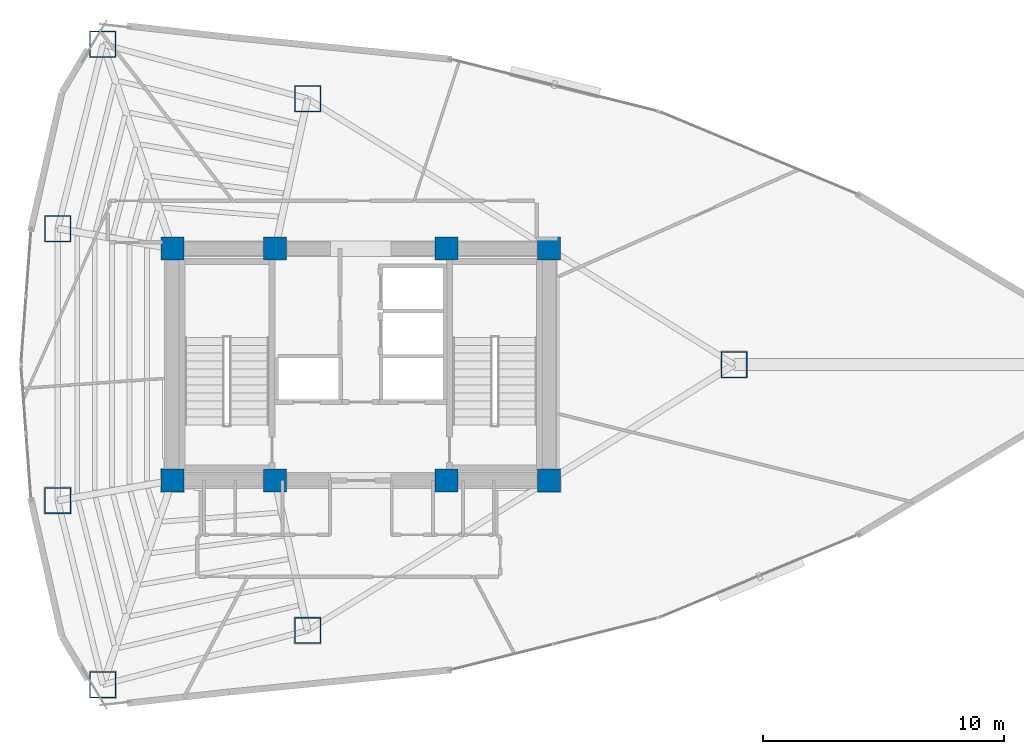
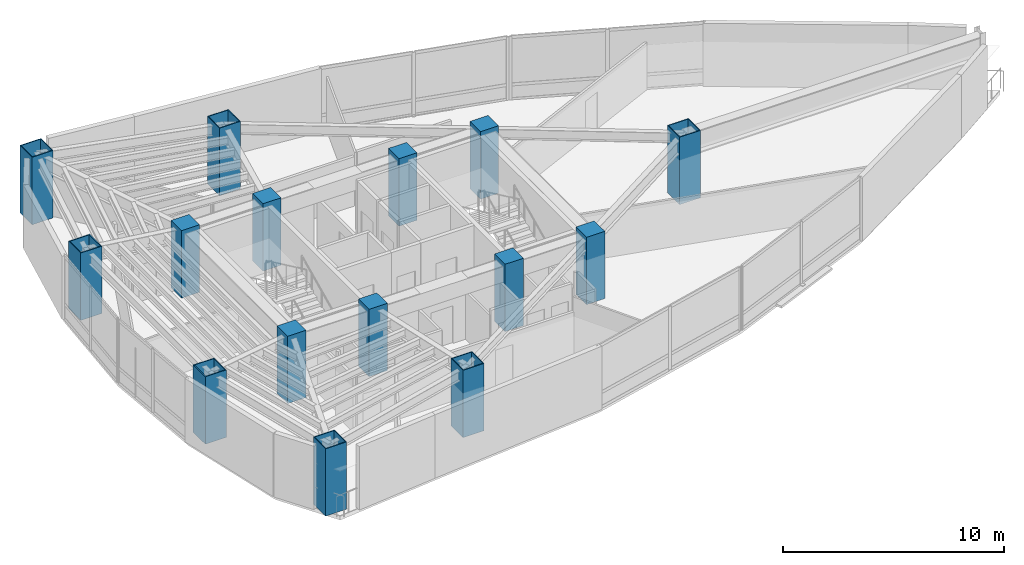
# One storey, part 1 of 18: 15 columns.
"""IFC4 building model written with IfcOpenShell, lengths in metres."""

from ifc_helpers import new_model, si_unit, direction, frame, origin, origin_2d, place, context, subcontext, project, spatial, rectangle, hollow_rectangle, extrude, material, material_profile, profile_set, type_object, element, save


model = new_model("IFC4")

# Units and contexts
model_context = context("Model", 3, precision=1e-05, world=origin(), true_north=direction((0.0, 1.0)))
body_context = subcontext(model_context, "Body", "Model", "MODEL_VIEW")
ifc_project = project(units=[si_unit("LENGTHUNIT", "METRE"), si_unit("AREAUNIT", "SQUARE_METRE"), si_unit("VOLUMEUNIT", "CUBIC_METRE"), si_unit("PLANEANGLEUNIT", "RADIAN"), si_unit("MASSUNIT", "GRAM", prefix="KILO")], contexts=[model_context])

# Site, building, storey
site_placement = place(None, origin())
site = spatial("IfcSite", under=ifc_project, at=site_placement, CompositionType="ELEMENT")
building_placement = place(site_placement, origin())
building = spatial("IfcBuilding", under=site, at=building_placement, Name="Menara Vayukalpa", CompositionType="ELEMENT")
storey_placement = place(building_placement, frame((0.0, 0.0, 165.47998046875)))
storey = spatial("IfcBuildingStorey", under=building, at=storey_placement, Name="L41", CompositionType="ELEMENT", Elevation=165.47998046875)

# Columns
ifc_material_1 = material(Name="Concrete C60/75", Category="concrete")
ifc_material_profile_1 = material_profile(ifc_material_1, rectangle(XDim=0.949951171875, YDim=0.949951171875, at=origin_2d()), Name="RC 950x950")
ifc_profile_set_1 = profile_set([ifc_material_profile_1], Name="Concrete C60/75")
column_type_1 = type_object("IfcColumnType", Name="COL-CC2", PredefinedType="COLUMN", material=ifc_profile_set_1)
for number, where, z_axis, x_axis, name in (
    (1, (17.800048828125, 17.199951171875, 0.0), (0.0, 0.0, 1.0), (1.0, 0.0, 0.0), "L41 Core Pilaster Column CC1"),
    (2, (22.050048828125, 17.199951171875, 0.0), (0.0, 0.0, 1.0), (1.0, 0.0, 0.0), "L41 Core Pilaster Column CC2"),
    (3, (29.14990234375, 17.199951171875, 0.0), (0.0, 0.0, 1.0), (1.0, 0.0, 0.0), "L41 Core Pilaster Column CC3"),
    (4, (33.39990234375, 17.199951171875, 0.0), (0.0, 0.0, 1.0), (1.0, 0.0, 0.0), "L41 Core Pilaster Column CC4"),
    (5, (17.800048828125, 26.800048828125, 0.0), (0.0, 0.0, 1.0), (1.0, 0.0, 0.0), "L41 Core Pilaster Column CC5"),
    (6, (22.050048828125, 26.800048828125, 0.0), (0.0, 0.0, 1.0), (1.0, 0.0, 0.0), "L41 Core Pilaster Column CC6"),
    (7, (29.14990234375, 26.800048828125, 0.0), (0.0, 0.0, 1.0), (1.0, 0.0, 0.0), "L41 Core Pilaster Column CC7"),
    (8, (33.39990234375, 26.800048828125, 0.0), (0.0, 0.0, 1.0), (1.0, 0.0, 0.0), "L41 Core Pilaster Column CC8"),
):
    element("IfcColumn", number, at=place(storey_placement, frame(where, z_axis=z_axis, x_axis=x_axis)), inside=storey, type_object=column_type_1, Name=name, PredefinedType="COLUMN", context=body_context, shape_type="SweptSolid", body=[
        extrude(rectangle(XDim=0.949951171875, YDim=0.949951171875, at=origin_2d()), origin(), (0.0, 0.0, 1.0), 3.719970703125),
    ])
ifc_material_2 = material(Name="Steel S460", Category="steel")
ifc_material_profile_2 = material_profile(ifc_material_2, hollow_rectangle(XDim=1.10009765625, YDim=1.10009765625, WallThickness=0.044921875, at=origin_2d()), Name="BOX 1100x1100x45")
ifc_profile_set_2 = profile_set([ifc_material_profile_2], Name="Steel S460")
column_type_2 = type_object("IfcColumnType", Name="COL-MC3", PredefinedType="COLUMN", material=ifc_profile_set_2)
for number, where, z_axis, x_axis, name in (
    (9, (41.05908203125, 22.0, 0.0), (0.0, 0.0, 1.0), (1.0, 0.0, 0.0), "L41 Perimeter Mega Column P01"),
    (10, (23.39697265625, 33.011962890625, 0.0), (0.0, 0.0, 1.0), (1.0, 0.0, 0.0), "L41 Perimeter Mega Column P03"),
    (11, (14.92041015625, 35.260498046875, 0.0), (0.0, 0.0, 1.0), (1.0, 0.0, 0.0), "L41 Perimeter Mega Column P04"),
    (12, (13.049072265625, 27.6318359375, 0.0), (0.0, 0.0, 1.0), (1.0, 0.0, 0.0), "L41 Perimeter Mega Column P05"),
    (13, (13.049072265625, 16.3681640625, 0.0), (0.0, 0.0, 1.0), (1.0, 0.0, 0.0), "L41 Perimeter Mega Column P06"),
    (14, (14.92041015625, 8.739501953125, 0.0), (0.0, 0.0, 1.0), (1.0, 0.0, 0.0), "L41 Perimeter Mega Column P07"),
    (15, (23.39697265625, 10.988037109375, 0.0), (0.0, 0.0, 1.0), (1.0, 0.0, 0.0), "L41 Perimeter Mega Column P08"),
):
    element("IfcColumn", number, at=place(storey_placement, frame(where, z_axis=z_axis, x_axis=x_axis)), inside=storey, type_object=column_type_2, Name=name, PredefinedType="COLUMN", context=body_context, shape_type="SweptSolid", body=[
        extrude(hollow_rectangle(XDim=1.10009765625, YDim=1.10009765625, WallThickness=0.044921875, at=origin_2d()), origin(), (0.0, 0.0, 1.0), 3.719970703125),
    ])

save(model, "model.ifc")
